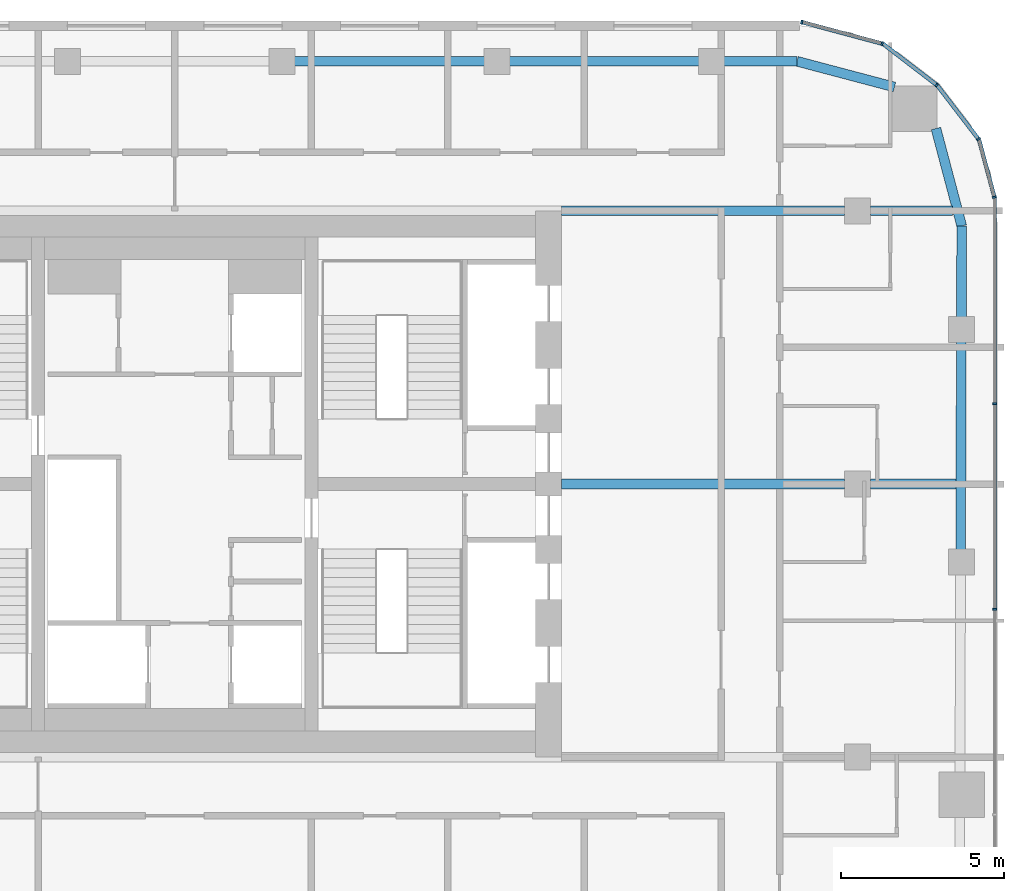
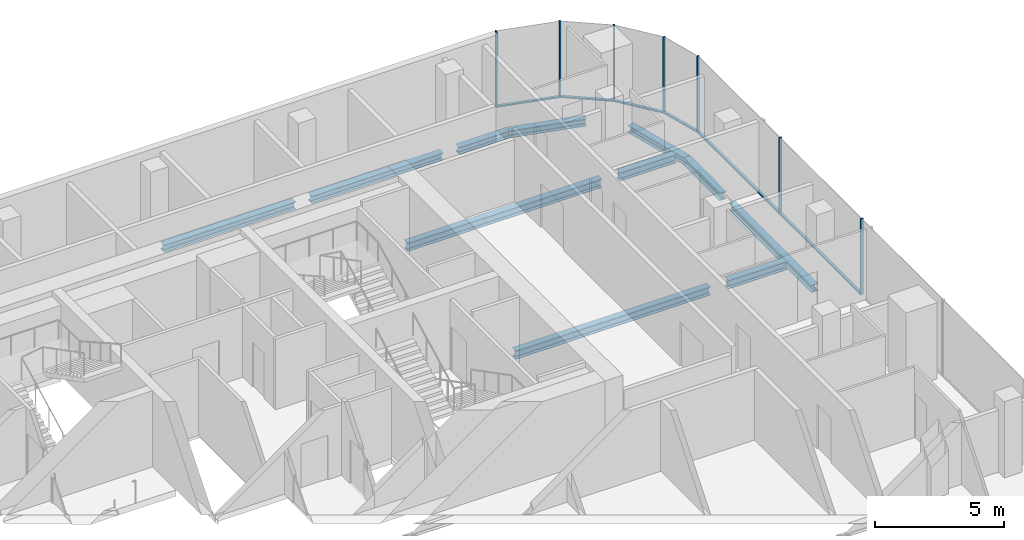
# One storey, part 11 of 22: 13 members, 11 beams, 5 elements without a shape of their own.
"""IFC4 building model written with IfcOpenShell, lengths in metres."""

from ifc_helpers import new_model, si_unit, direction, frame, origin, origin_2d, place, context, subcontext, project, spatial, rectangle, i_section, extrude, material, layer, layer_set, material_profile, profile_set, type_object, element, aggregate, save


model = new_model("IFC4")

# Units and contexts
model_context = context("Model", 3, precision=1e-05, world=origin(), true_north=direction((0.0, 1.0)))
body_context = subcontext(model_context, "Body", "Model", "MODEL_VIEW")
ifc_project = project(units=[si_unit("LENGTHUNIT", "METRE"), si_unit("AREAUNIT", "SQUARE_METRE"), si_unit("VOLUMEUNIT", "CUBIC_METRE"), si_unit("PLANEANGLEUNIT", "RADIAN"), si_unit("MASSUNIT", "GRAM", prefix="KILO")], contexts=[model_context])

# Site, building, storey
site_placement = place(None, origin())
site = spatial("IfcSite", under=ifc_project, at=site_placement, CompositionType="ELEMENT")
building_placement = place(site_placement, origin())
building = spatial("IfcBuilding", under=site, at=building_placement, Name="Marenta Gate Hotel Tower", CompositionType="ELEMENT")
storey_placement = place(building_placement, frame((0.0, 0.0, 230.89990234375)))
storey = spatial("IfcBuildingStorey", under=building, at=storey_placement, Name="L54", CompositionType="ELEMENT", Elevation=230.89990234375)

# Beams
ifc_material_1 = material(Name="Steel S355", Category="steel")
ifc_material_profile_1 = material_profile(ifc_material_1, i_section(OverallWidth=0.300048828125, OverallDepth=0.340087890625, WebThickness=0.011962890625, FlangeThickness=0.021484375, FilletRadius=0.027099609375, at=origin_2d()), Name="HEB 340")
ifc_profile_set_1 = profile_set([ifc_material_profile_1], Name="Steel S355")
beam_type_1 = type_object("IfcBeamType", Name="Edge beam HEB 340", PredefinedType="SPANDREL", material=ifc_profile_set_1)
for number, where, z_axis, x_axis, name in (
    (1, (3.661376953125, 21.39990234375, -0.429931640625), (1.0, 0.0, 0.0), (0.0, 1.0, 0.0), "L54-EB-17"),
    (2, (10.26416015625, 21.39990234375, -0.429931640625), (1.0, 0.0, 0.0), (0.0, 1.0, 0.0), "L54-EB-18"),
):
    element("IfcBeam", number, at=place(storey_placement, frame(where, z_axis=z_axis, x_axis=x_axis)), inside=storey, type_object=beam_type_1, Name=name, PredefinedType="SPANDREL", context=body_context, shape_type="SweptSolid", body=[
        extrude(i_section(OverallWidth=0.300048828125, OverallDepth=0.340087890625, WebThickness=0.011962890625, FlangeThickness=0.021484375, FilletRadius=0.027099609375, at=origin_2d()), origin(), (0.0, 0.0, 1.0), 5.8828125),
    ])
beam_1_placement = place(storey_placement, frame((16.866943359375, 21.39990234375, -0.429931640625), z_axis=(1.0, 0.0, 0.0), x_axis=(0.0, 1.0, 0.0)))
element("IfcBeam", 3, at=beam_1_placement, inside=storey, type_object=beam_type_1, Name="L54-EB-19", PredefinedType="SPANDREL", context=body_context, shape_type="SweptSolid", body=[
    extrude(i_section(OverallWidth=0.300048828125, OverallDepth=0.340087890625, WebThickness=0.011962890625, FlangeThickness=0.021484375, FilletRadius=0.027099609375, at=origin_2d()), origin(), (0.0, 0.0, 1.0), 2.267578125),
])
beam_2_placement = place(storey_placement, frame((19.134521484375, 21.39990234375, -0.429931640625), z_axis=(0.9667647815, -0.25566747398, 0.0), x_axis=(0.25566747398, 0.9667647815, 0.0)))
element("IfcBeam", 4, at=beam_2_placement, inside=storey, type_object=beam_type_1, Name="L54-EB-20", PredefinedType="SPANDREL", context=body_context, shape_type="SweptSolid", body=[
    extrude(i_section(OverallWidth=0.300048828125, OverallDepth=0.340087890625, WebThickness=0.011962890625, FlangeThickness=0.021484375, FilletRadius=0.027099609375, at=origin_2d()), origin(), (0.0, 0.0, 1.0), 3.1005859375),
])
beam_3_placement = place(storey_placement, frame((23.4072265625, 19.332275390625, -0.429931640625), z_axis=(0.255648013319, -0.966769927794, 0.0), x_axis=(0.966769927794, 0.255648013319, 0.0)))
element("IfcBeam", 5, at=beam_3_placement, inside=storey, type_object=beam_type_1, Name="L54-EB-21", PredefinedType="SPANDREL", context=body_context, shape_type="SweptSolid", body=[
    extrude(i_section(OverallWidth=0.300048828125, OverallDepth=0.340087890625, WebThickness=0.011962890625, FlangeThickness=0.021484375, FilletRadius=0.027099609375, at=origin_2d()), origin(), (0.0, 0.0, 1.0), 3.100830078125),
])
beam_4_placement = place(storey_placement, frame((24.199951171875, 16.33447265625, -0.429931640625), z_axis=(-0.003292020626, -0.999994581285, 0.0), x_axis=(0.999994581285, -0.003292020626, 0.0)))
element("IfcBeam", 6, at=beam_4_placement, inside=storey, type_object=beam_type_1, Name="L54-EB-22", PredefinedType="SPANDREL", context=body_context, shape_type="SweptSolid", body=[
    extrude(i_section(OverallWidth=0.300048828125, OverallDepth=0.340087890625, WebThickness=0.011962890625, FlangeThickness=0.021484375, FilletRadius=0.027099609375, at=origin_2d()), origin(), (0.0, 0.0, 1.0), 2.818115234375),
])
beam_5_placement = place(storey_placement, frame((24.188232421875, 12.79638671875, -0.429931640625), z_axis=(-0.00333963982, -0.999994423387, 0.0), x_axis=(0.999994423387, -0.00333963982, 0.0)))
element("IfcBeam", 7, at=beam_5_placement, inside=storey, type_object=beam_type_1, Name="L54-EB-23", PredefinedType="SPANDREL", context=body_context, shape_type="SweptSolid", body=[
    extrude(i_section(OverallWidth=0.300048828125, OverallDepth=0.340087890625, WebThickness=0.011962890625, FlangeThickness=0.021484375, FilletRadius=0.027099609375, at=origin_2d()), origin(), (0.0, 0.0, 1.0), 6.43310546875),
])
ifc_material_2 = material(Name="Steel S355", Category="steel")
ifc_material_profile_2 = material_profile(ifc_material_2, i_section(OverallWidth=0.300048828125, OverallDepth=0.39990234375, WebThickness=0.013427734375, FlangeThickness=0.02392578125, FilletRadius=0.027099609375, at=origin_2d()), Name="HEB 400")
ifc_profile_set_2 = profile_set([ifc_material_profile_2], Name="Steel S355")
beam_type_2 = type_object("IfcBeamType", Name="Girder HEB 400", PredefinedType="BEAM", material=ifc_profile_set_2)
beam_6_placement = place(storey_placement, frame((11.89990234375, 8.39990234375, -0.4599609375), z_axis=(1.0, 0.0, 0.0), x_axis=(0.0, 1.0, 0.0)))
element("IfcBeam", 8, at=beam_6_placement, inside=storey, type_object=beam_type_2, Name="L54-GD-27", PredefinedType="BEAM", context=body_context, shape_type="SweptSolid", body=[
    extrude(i_section(OverallWidth=0.300048828125, OverallDepth=0.39990234375, WebThickness=0.013427734375, FlangeThickness=0.02392578125, FilletRadius=0.027099609375, at=origin_2d()), origin(), (0.0, 0.0, 1.0), 8.7001953125),
])
beam_7_placement = place(storey_placement, frame((21.39990234375, 8.39990234375, -0.4599609375), z_axis=(1.0, 0.0, 0.0), x_axis=(0.0, 1.0, 0.0)))
element("IfcBeam", 9, at=beam_7_placement, inside=storey, type_object=beam_type_2, Name="L54-GD-28", PredefinedType="BEAM", context=body_context, shape_type="SweptSolid", body=[
    extrude(i_section(OverallWidth=0.300048828125, OverallDepth=0.39990234375, WebThickness=0.013427734375, FlangeThickness=0.02392578125, FilletRadius=0.027099609375, at=origin_2d()), origin(), (0.0, 0.0, 1.0), 2.623779296875),
])
beam_8_placement = place(storey_placement, frame((11.89990234375, 16.800048828125, -0.4599609375), z_axis=(1.0, 0.0, 0.0), x_axis=(0.0, 1.0, 0.0)))
element("IfcBeam", 10, at=beam_8_placement, inside=storey, type_object=beam_type_2, Name="L54-GD-32", PredefinedType="BEAM", context=body_context, shape_type="SweptSolid", body=[
    extrude(i_section(OverallWidth=0.300048828125, OverallDepth=0.39990234375, WebThickness=0.013427734375, FlangeThickness=0.02392578125, FilletRadius=0.027099609375, at=origin_2d()), origin(), (0.0, 0.0, 1.0), 8.7001953125),
])
beam_9_placement = place(storey_placement, frame((21.39990234375, 16.800048828125, -0.4599609375), z_axis=(1.0, 0.0, 0.0), x_axis=(0.0, 1.0, 0.0)))
element("IfcBeam", 11, at=beam_9_placement, inside=storey, type_object=beam_type_2, Name="L54-GD-33", PredefinedType="BEAM", context=body_context, shape_type="SweptSolid", body=[
    extrude(i_section(OverallWidth=0.300048828125, OverallDepth=0.39990234375, WebThickness=0.013427734375, FlangeThickness=0.02392578125, FilletRadius=0.027099609375, at=origin_2d()), origin(), (0.0, 0.0, 1.0), 2.521728515625),
])

# Curtain wall, members
ifc_material_3 = material(Name="Tinted insulated glass in bronze anodised frame", Category="glass")
ifc_layer = layer(ifc_material_3, 0.1201171875)
ifc_layer_set = layer_set([ifc_layer], Name="Tinted insulated glass in bronze anodised frame")
curtain_wall_type = type_object("IfcCurtainWallType", Name="Tower unitised curtain wall CW1", PredefinedType="NOTDEFINED", material=ifc_layer_set)
curtain_wall_1_placement = place(storey_placement, origin())
curtain_wall_1 = element("IfcCurtainWall", 12, at=curtain_wall_1_placement, inside=storey, type_object=curtain_wall_type, Name="CW1 run G11", PredefinedType="NOTDEFINED")
ifc_material_4 = material(Name="Bronze anodised aluminium", Category="aluminium")
ifc_material_profile_3 = material_profile(ifc_material_4, rectangle(XDim=0.1201171875, YDim=0.06005859375, at=origin_2d()), Name="Mullion CW1 60x120 bronze anodised aluminium")
ifc_profile_set_3 = profile_set([ifc_material_profile_3], Name="Bronze anodised aluminium")
member_type_1 = type_object("IfcMemberType", Name="Mullion CW1 60x120 bronze anodised aluminium", PredefinedType="MULLION", material=ifc_profile_set_3)
member_1_placement = place(storey_placement, frame((25.214111328125, 4.546630859375, 0.0), z_axis=(0.0, 0.0, 1.0), x_axis=(-1.0, 0.0, 0.0)))
member_1 = element("IfcMember", 13, at=member_1_placement, type_object=member_type_1, Name="CW1 mullion 5", PredefinedType="MULLION", context=body_context, shape_type="SweptSolid", body=[
    extrude(rectangle(XDim=0.1201171875, YDim=0.06005859375, at=origin_2d()), origin(), (0.0, 0.0, 1.0), 3.60009765625),
])
member_2_placement = place(storey_placement, frame((25.214111328125, 10.869384765625, 0.0), z_axis=(0.0, 0.0, 1.0), x_axis=(-1.0, 0.0, 0.0)))
member_2 = element("IfcMember", 14, at=member_2_placement, type_object=member_type_1, Name="CW1 mullion 6", PredefinedType="MULLION", context=body_context, shape_type="SweptSolid", body=[
    extrude(rectangle(XDim=0.1201171875, YDim=0.06005859375, at=origin_2d()), origin(), (0.0, 0.0, 1.0), 3.60009765625),
])

# Curtain wall, member
curtain_wall_2_placement = place(storey_placement, origin())
curtain_wall_2 = element("IfcCurtainWall", 15, at=curtain_wall_2_placement, inside=storey, type_object=curtain_wall_type, Name="CW1 run G12", PredefinedType="NOTDEFINED")
member_3_placement = place(storey_placement, frame((25.206298828125, 17.220947265625, 0.0), z_axis=(0.0, 0.0, 1.0), x_axis=(-0.965924453932, -0.258824166754, 0.0)))
member_3 = element("IfcMember", 16, at=member_3_placement, type_object=member_type_1, Name="CW1 mullion 1", PredefinedType="MULLION", context=body_context, shape_type="SweptSolid", body=[
    extrude(rectangle(XDim=0.1201171875, YDim=0.06005859375, at=origin_2d()), origin(), (0.0, 0.0, 1.0), 3.60009765625),
])

curtain_wall_3_placement = place(storey_placement, origin())
curtain_wall_3 = element("IfcCurtainWall", 17, at=curtain_wall_3_placement, inside=storey, type_object=curtain_wall_type, Name="CW1 run G13", PredefinedType="NOTDEFINED")
member_4_placement = place(storey_placement, frame((24.7158203125, 19.00634765625, 0.0), z_axis=(0.0, 0.0, 1.0), x_axis=(-0.793333335233, -0.608787499222, 0.0)))
member_4 = element("IfcMember", 18, at=member_4_placement, type_object=member_type_1, Name="CW1 mullion 1", PredefinedType="MULLION", context=body_context, shape_type="SweptSolid", body=[
    extrude(rectangle(XDim=0.1201171875, YDim=0.06005859375, at=origin_2d()), origin(), (0.0, 0.0, 1.0), 3.60009765625),
])

curtain_wall_4_placement = place(storey_placement, origin())
curtain_wall_4 = element("IfcCurtainWall", 19, at=curtain_wall_4_placement, inside=storey, type_object=curtain_wall_type, Name="CW1 run G14", PredefinedType="NOTDEFINED")
member_5_placement = place(storey_placement, frame((23.4287109375, 20.6708984375, 0.0), z_axis=(0.0, 0.0, 1.0), x_axis=(-0.608787499222, -0.793333335233, 0.0)))
member_5 = element("IfcMember", 20, at=member_5_placement, type_object=member_type_1, Name="CW1 mullion 1", PredefinedType="MULLION", context=body_context, shape_type="SweptSolid", body=[
    extrude(rectangle(XDim=0.1201171875, YDim=0.06005859375, at=origin_2d()), origin(), (0.0, 0.0, 1.0), 3.60009765625),
])

# Curtain wall, members
curtain_wall_5_placement = place(storey_placement, origin())
curtain_wall_5 = element("IfcCurtainWall", 21, at=curtain_wall_5_placement, inside=storey, type_object=curtain_wall_type, Name="CW1 run G15", PredefinedType="NOTDEFINED")
member_6_placement = place(storey_placement, frame((21.75341796875, 21.94189453125, 0.0), z_axis=(0.0, 0.0, 1.0), x_axis=(-0.258804895175, -0.96592961764, 0.0)))
member_6 = element("IfcMember", 22, at=member_6_placement, type_object=member_type_1, Name="CW1 mullion 1", PredefinedType="MULLION", context=body_context, shape_type="SweptSolid", body=[
    extrude(rectangle(XDim=0.1201171875, YDim=0.06005859375, at=origin_2d()), origin(), (0.0, 0.0, 1.0), 3.60009765625),
])
member_7_placement = place(storey_placement, frame((19.285400390625, 22.603271484375, 0.0), z_axis=(0.0, 0.0, 1.0), x_axis=(-0.258804895175, -0.96592961764, 0.0)))
member_7 = element("IfcMember", 23, at=member_7_placement, type_object=member_type_1, Name="CW1 mullion 2", PredefinedType="MULLION", context=body_context, shape_type="SweptSolid", body=[
    extrude(rectangle(XDim=0.1201171875, YDim=0.06005859375, at=origin_2d()), origin(), (0.0, 0.0, 1.0), 3.60009765625),
])

# Member
ifc_material_5 = material(Name="Bronze anodised aluminium", Category="aluminium")
ifc_material_profile_4 = material_profile(ifc_material_5, rectangle(XDim=0.1201171875, YDim=0.06005859375, at=origin_2d()), Name="Transom CW1 60x120 bronze anodised aluminium")
ifc_profile_set_4 = profile_set([ifc_material_profile_4], Name="Bronze anodised aluminium")
member_type_2 = type_object("IfcMemberType", Name="Transom CW1 60x120 bronze anodised aluminium", PredefinedType="USERDEFINED", material=ifc_profile_set_4)
member_8_placement = place(storey_placement, frame((25.214111328125, 4.57666015625, 0.030029296875), z_axis=(0.0, 1.0, 0.0), x_axis=(-1.0, 0.0, 0.0)))
member_8 = element("IfcMember", 24, at=member_8_placement, type_object=member_type_2, Name="CW1 transom 5.1", ObjectType="TRANSOM", PredefinedType="USERDEFINED", context=body_context, shape_type="SweptSolid", body=[
    extrude(rectangle(XDim=0.1201171875, YDim=0.06005859375, at=origin_2d()), origin(), (0.0, 0.0, 1.0), 6.2626953125),
])

member_9_placement = place(storey_placement, frame((25.214111328125, 10.899169921875, 0.030029296875), z_axis=(0.0, 1.0, 0.0), x_axis=(-1.0, 0.0, 0.0)))
member_9 = element("IfcMember", 25, at=member_9_placement, type_object=member_type_2, Name="CW1 transom 6.1", ObjectType="TRANSOM", PredefinedType="USERDEFINED", context=body_context, shape_type="SweptSolid", body=[
    extrude(rectangle(XDim=0.1201171875, YDim=0.06005859375, at=origin_2d()), origin(), (0.0, 0.0, 1.0), 6.292724609375),
])

aggregate(curtain_wall_1, [member_1, member_2, member_8, member_9])

member_10_placement = place(storey_placement, frame((25.198486328125, 17.249755859375, 0.030029296875), z_axis=(-0.258865341007, 0.96591342015, 0.0), x_axis=(-0.96591342015, -0.258865341007, 0.0)))
member_10 = element("IfcMember", 26, at=member_10_placement, type_object=member_type_2, Name="CW1 transom 1.1", ObjectType="TRANSOM", PredefinedType="USERDEFINED", context=body_context, shape_type="SweptSolid", body=[
    extrude(rectangle(XDim=0.1201171875, YDim=0.06005859375, at=origin_2d()), origin(), (0.0, 0.0, 1.0), 1.793701171875),
])

aggregate(curtain_wall_2, [member_3, member_10])

member_11_placement = place(storey_placement, frame((24.69775390625, 19.030029296875, 0.030029296875), z_axis=(-0.608787337271, 0.79333345951, 0.0), x_axis=(-0.79333345951, -0.608787337271, 0.0)))
member_11 = element("IfcMember", 27, at=member_11_placement, type_object=member_type_2, Name="CW1 transom 1.1", ObjectType="TRANSOM", PredefinedType="USERDEFINED", context=body_context, shape_type="SweptSolid", body=[
    extrude(rectangle(XDim=0.1201171875, YDim=0.06005859375, at=origin_2d()), origin(), (0.0, 0.0, 1.0), 2.045166015625),
])

aggregate(curtain_wall_3, [member_4, member_11])

member_12_placement = place(storey_placement, frame((23.405029296875, 20.689208984375, 0.030029296875), z_axis=(-0.793391112466, 0.60871220019, 0.0), x_axis=(-0.60871220019, -0.793391112466, 0.0)))
member_12 = element("IfcMember", 28, at=member_12_placement, type_object=member_type_2, Name="CW1 transom 1.1", ObjectType="TRANSOM", PredefinedType="USERDEFINED", context=body_context, shape_type="SweptSolid", body=[
    extrude(rectangle(XDim=0.1201171875, YDim=0.06005859375, at=origin_2d()), origin(), (0.0, 0.0, 1.0), 2.045166015625),
])

aggregate(curtain_wall_4, [member_5, member_12])

member_13_placement = place(storey_placement, frame((21.724609375, 21.94970703125, 0.030029296875), z_axis=(-0.965930582093, 0.258801295547, 0.0), x_axis=(-0.258801295547, -0.965930582093, 0.0)))
member_13 = element("IfcMember", 29, at=member_13_placement, type_object=member_type_2, Name="CW1 transom 1.1", ObjectType="TRANSOM", PredefinedType="USERDEFINED", context=body_context, shape_type="SweptSolid", body=[
    extrude(rectangle(XDim=0.1201171875, YDim=0.06005859375, at=origin_2d()), origin(), (0.0, 0.0, 1.0), 2.4951171875),
])

aggregate(curtain_wall_5, [member_6, member_7, member_13])

save(model, "model.ifc")
